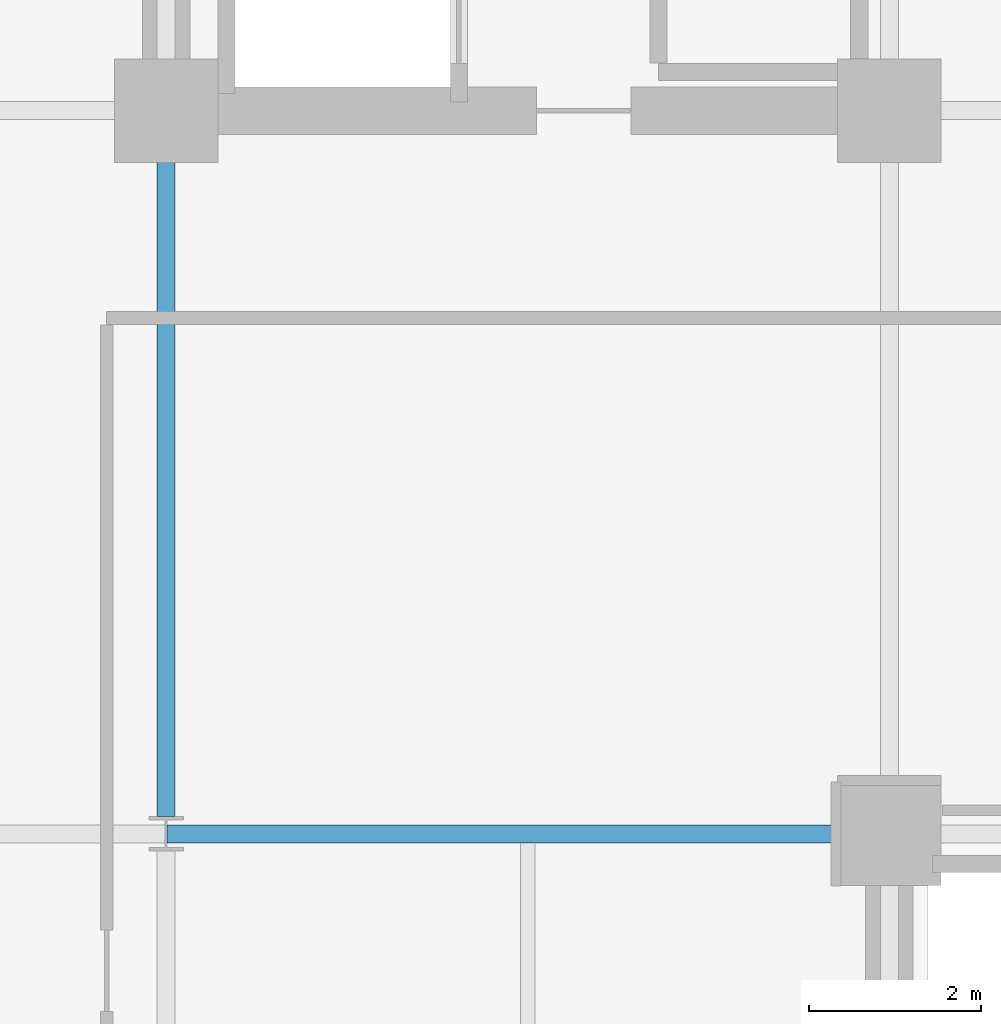
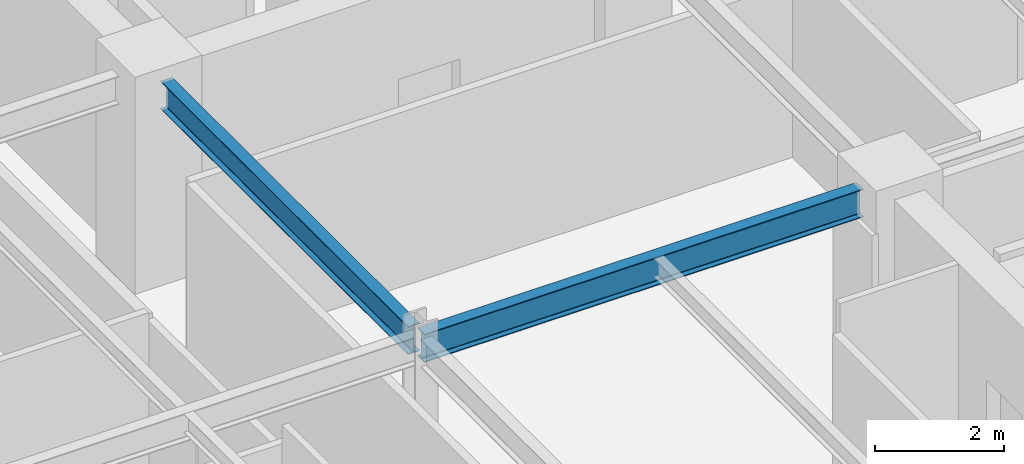
# One storey, part 9 of 29: 2 beams.
"""IFC4 building model written with IfcOpenShell, lengths in metres."""

from ifc_helpers import new_model, si_unit, direction, frame, origin, origin_2d, place, context, subcontext, project, spatial, i_section, extrude, material, material_profile, profile_set, type_object, element, save


model = new_model("IFC4")

# Units and contexts
model_context = context("Model", 3, precision=1e-05, world=origin(), true_north=direction((0.0, 1.0)))
body_context = subcontext(model_context, "Body", "Model", "MODEL_VIEW")
ifc_project = project(units=[si_unit("LENGTHUNIT", "METRE"), si_unit("AREAUNIT", "SQUARE_METRE"), si_unit("VOLUMEUNIT", "CUBIC_METRE"), si_unit("PLANEANGLEUNIT", "RADIAN"), si_unit("MASSUNIT", "GRAM", prefix="KILO")], contexts=[model_context])

# Site, building, storey
site_placement = place(None, origin())
site = spatial("IfcSite", under=ifc_project, at=site_placement, CompositionType="ELEMENT")
building_placement = place(site_placement, origin())
building = spatial("IfcBuilding", under=site, at=building_placement, Name="Nerrivon Quay Data Exchange", CompositionType="ELEMENT")
storey_placement = place(building_placement, frame((0.0, 0.0, 145.89990234375)))
storey = spatial("IfcBuildingStorey", under=building, at=storey_placement, Name="L34", CompositionType="ELEMENT", Elevation=145.89990234375)

# Beams
ifc_material = material(Name="Steel Grade 350", Category="steel")
ifc_material_profile_1 = material_profile(ifc_material, i_section(OverallWidth=0.208984375, OverallDepth=0.532958984375, WebThickness=0.01025390625, FlangeThickness=0.015625, FilletRadius=0.013916015625, at=origin_2d()), Name="530UB92.4")
ifc_profile_set_1 = profile_set([ifc_material_profile_1], Name="Steel Grade 350")
beam_type_1 = type_object("IfcBeamType", Name="BM-G3-530UB92", PredefinedType="BEAM", material=ifc_profile_set_1)
beam_1_placement = place(storey_placement, frame((8.41259765625, 16.800048828125, 3.55859375), z_axis=(1.0, 0.0, 0.0), x_axis=(0.0, 1.0, 0.0)))
element("IfcBeam", 1, at=beam_1_placement, inside=storey, type_object=beam_type_1, Name="L34 EW Girder Y=16.8 (8.4..16.8)", PredefinedType="BEAM", context=body_context, shape_type="SweptSolid", body=[
    extrude(i_section(OverallWidth=0.208984375, OverallDepth=0.532958984375, WebThickness=0.01025390625, FlangeThickness=0.015625, FilletRadius=0.013916015625, at=origin_2d()), origin(), (0.0, 0.0, 1.0), 7.847412109375),
])
ifc_material_profile_2 = material_profile(ifc_material, i_section(OverallWidth=0.208984375, OverallDepth=0.528076171875, WebThickness=0.009521484375, FlangeThickness=0.01318359375, FilletRadius=0.013916015625, at=origin_2d()), Name="530UB82.0")
ifc_profile_set_2 = profile_set([ifc_material_profile_2], Name="Steel Grade 350")
beam_type_2 = type_object("IfcBeamType", Name="BM-G4-530UB82", PredefinedType="BEAM", material=ifc_profile_set_2)
beam_2_placement = place(storey_placement, frame((8.39990234375, 17.0, 3.56103515625), z_axis=(0.0, 1.0, 0.0), x_axis=(-1.0, 0.0, 0.0)))
element("IfcBeam", 2, at=beam_2_placement, inside=storey, type_object=beam_type_2, Name="L34 NS Girder X=8.4 (16.8..25.2)", PredefinedType="BEAM", context=body_context, shape_type="SweptSolid", body=[
    extrude(i_section(OverallWidth=0.208984375, OverallDepth=0.528076171875, WebThickness=0.009521484375, FlangeThickness=0.01318359375, FilletRadius=0.013916015625, at=origin_2d()), origin(), (0.0, 0.0, 1.0), 7.659912109375),
])

save(model, "model.ifc")
